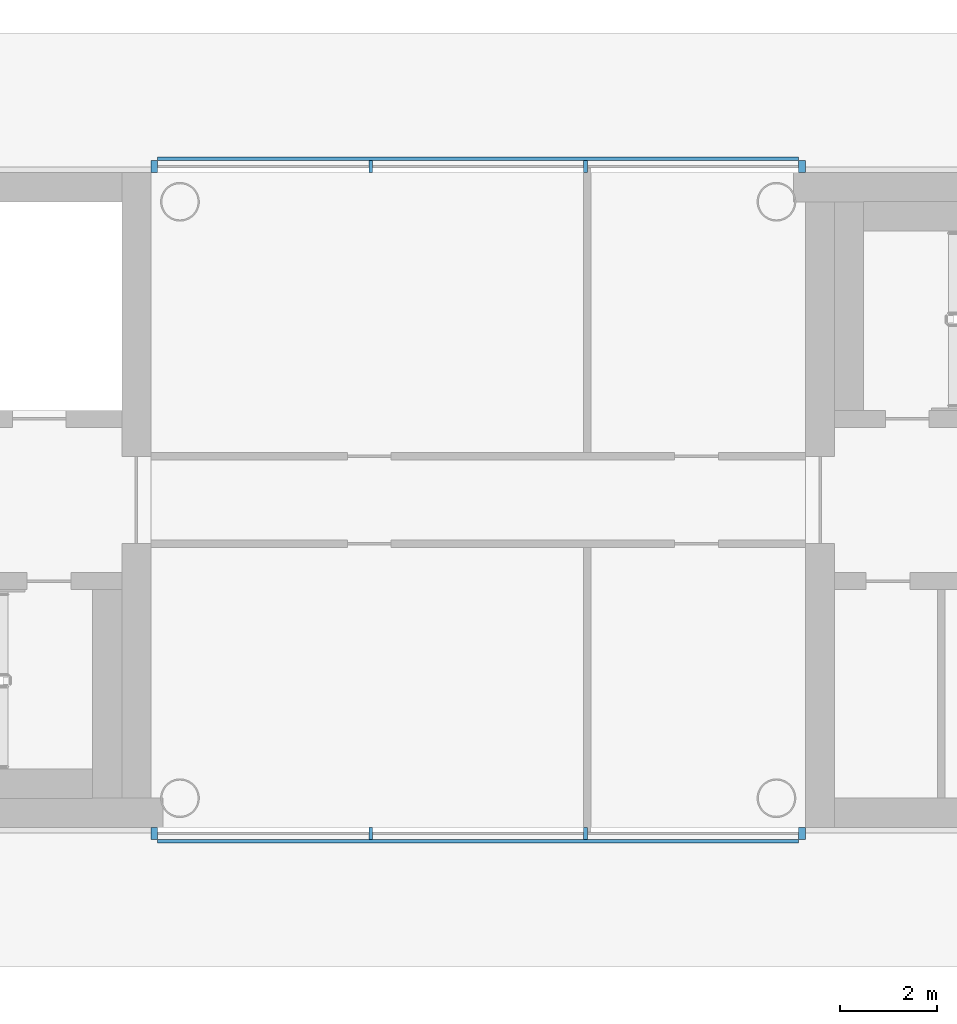
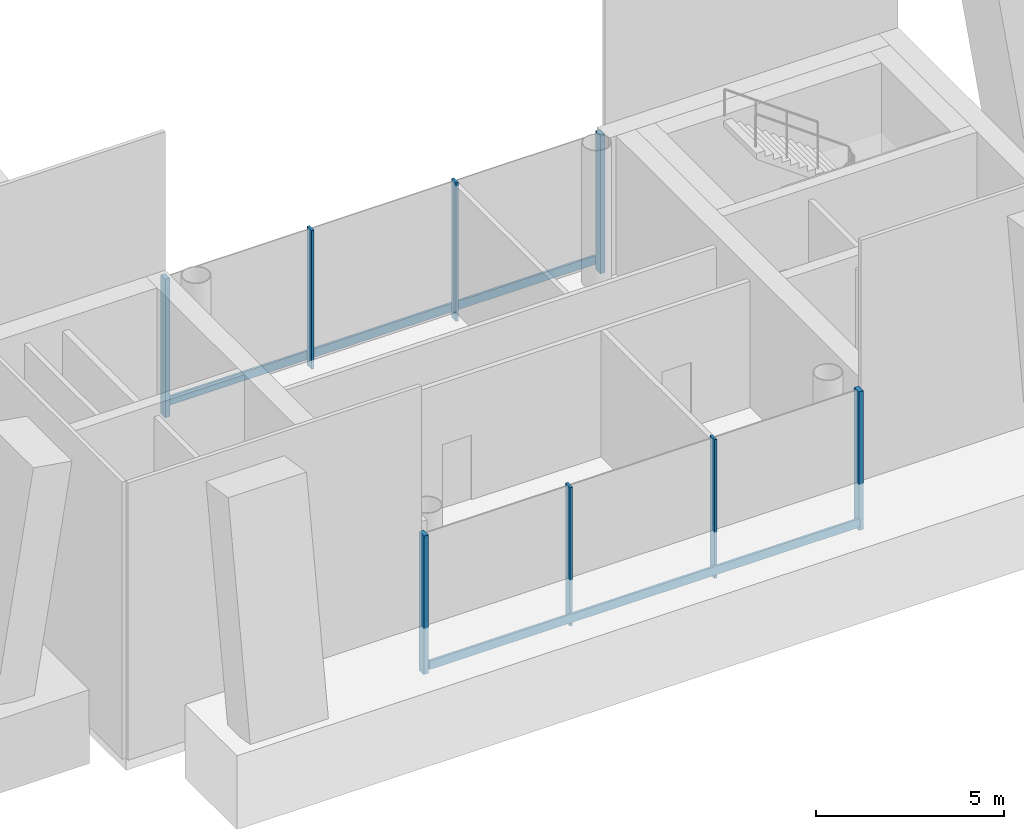
# One storey, part 2 of 12: 10 members, 2 elements without a shape of their own.
"""IFC4 building model written with IfcOpenShell, lengths in metres."""

from ifc_helpers import new_model, si_unit, direction, frame, origin, origin_2d, place, context, subcontext, project, spatial, rectangle, extrude, material, layer, layer_set, material_profile, profile_set, type_object, element, aggregate, save


model = new_model("IFC4")

# Units and contexts
model_context = context("Model", 3, precision=1e-05, world=origin(), true_north=direction((0.0, 1.0)))
body_context = subcontext(model_context, "Body", "Model", "MODEL_VIEW")
ifc_project = project(units=[si_unit("LENGTHUNIT", "METRE"), si_unit("AREAUNIT", "SQUARE_METRE"), si_unit("VOLUMEUNIT", "CUBIC_METRE"), si_unit("PLANEANGLEUNIT", "RADIAN"), si_unit("MASSUNIT", "GRAM", prefix="KILO")], contexts=[model_context])

# Site, building, storey
site_placement = place(None, origin())
site = spatial("IfcSite", under=ifc_project, at=site_placement, CompositionType="ELEMENT")
building_placement = place(site_placement, origin())
building = spatial("IfcBuilding", under=site, at=building_placement, Name="Ipe Terrace Towers", CompositionType="ELEMENT")
storey_placement = place(building_placement, frame((0.0, 0.0, 255.89990234375)))
storey = spatial("IfcBuildingStorey", under=building, at=storey_placement, Name="L70", CompositionType="ELEMENT", Elevation=255.89990234375)

# Curtain wall, members
ifc_material_1 = material(Name="Aluminium alloy 6063-T6", Category="aluminium")
ifc_layer = layer(ifc_material_1, 0.320068359375)
ifc_layer_set = layer_set([ifc_layer], Name="LANTERN CURTAIN WALL")
curtain_wall_type = type_object("IfcCurtainWallType", Name="LANTERN CURTAIN WALL", PredefinedType="NOTDEFINED", material=ifc_layer_set)
curtain_wall_1_placement = place(storey_placement, origin())
curtain_wall_1 = element("IfcCurtainWall", 1, at=curtain_wall_1_placement, inside=storey, type_object=curtain_wall_type, Name="T1-CW-L70-00b curtain wall", PredefinedType="NOTDEFINED")
ifc_material_2 = material(Name="Aluminium alloy 6063-T6", Category="aluminium")
ifc_material_profile_1 = material_profile(ifc_material_2, rectangle(XDim=0.25, YDim=0.139892578125, at=origin_2d()), Name="LANTERN CORNER MULLION 250 x 140")
ifc_profile_set_1 = profile_set([ifc_material_profile_1], Name="Aluminium alloy 6063-T6")
member_type_1 = type_object("IfcMemberType", Name="LANTERN CORNER MULLION 250 x 140", PredefinedType="MULLION", material=ifc_profile_set_1)
member_1_placement = place(storey_placement, frame((-42.678955078125, -6.875, -0.2998046875), z_axis=(0.0, 0.0, 1.0), x_axis=(0.0, -1.0, 0.0)))
member_1 = element("IfcMember", 2, at=member_1_placement, type_object=member_type_1, Name="T1-CW-L70-00b mullion 1", PredefinedType="MULLION", context=body_context, shape_type="SweptSolid", body=[
    extrude(rectangle(XDim=0.25, YDim=0.139892578125, at=origin_2d()), origin(), (0.0, 0.0, 1.0), 4.5),
])
member_2_placement = place(storey_placement, frame((-29.321044921875, -6.875, -0.2998046875), z_axis=(0.0, 0.0, 1.0), x_axis=(0.0, -1.0, 0.0)))
member_2 = element("IfcMember", 3, at=member_2_placement, type_object=member_type_1, Name="T1-CW-L70-00b mullion 4", PredefinedType="MULLION", context=body_context, shape_type="SweptSolid", body=[
    extrude(rectangle(XDim=0.25, YDim=0.139892578125, at=origin_2d()), origin(), (0.0, 0.0, 1.0), 4.5),
])

curtain_wall_2_placement = place(storey_placement, origin())
curtain_wall_2 = element("IfcCurtainWall", 4, at=curtain_wall_2_placement, inside=storey, type_object=curtain_wall_type, Name="T1-CW-L70-02b curtain wall", PredefinedType="NOTDEFINED")
member_3_placement = place(storey_placement, frame((-29.321044921875, 6.875, -0.2998046875), z_axis=(0.0, 0.0, 1.0), x_axis=(0.0, 1.0, 0.0)))
member_3 = element("IfcMember", 5, at=member_3_placement, type_object=member_type_1, Name="T1-CW-L70-02b mullion 1", PredefinedType="MULLION", context=body_context, shape_type="SweptSolid", body=[
    extrude(rectangle(XDim=0.25, YDim=0.139892578125, at=origin_2d()), origin(), (0.0, 0.0, 1.0), 4.5),
])
member_4_placement = place(storey_placement, frame((-42.678955078125, 6.875, -0.2998046875), z_axis=(0.0, 0.0, 1.0), x_axis=(0.0, 1.0, 0.0)))
member_4 = element("IfcMember", 6, at=member_4_placement, type_object=member_type_1, Name="T1-CW-L70-02b mullion 4", PredefinedType="MULLION", context=body_context, shape_type="SweptSolid", body=[
    extrude(rectangle(XDim=0.25, YDim=0.139892578125, at=origin_2d()), origin(), (0.0, 0.0, 1.0), 4.5),
])

# Member
ifc_material_3 = material(Name="Aluminium alloy 6063-T6", Category="aluminium")
ifc_material_profile_2 = material_profile(ifc_material_3, rectangle(XDim=0.25, YDim=0.080078125, at=origin_2d()), Name="LANTERN MULLION 250 x 80")
ifc_profile_set_2 = profile_set([ifc_material_profile_2], Name="Aluminium alloy 6063-T6")
member_type_2 = type_object("IfcMemberType", Name="LANTERN MULLION 250 x 80", PredefinedType="MULLION", material=ifc_profile_set_2)
member_5_placement = place(storey_placement, frame((-38.21630859375, -6.875, -0.2998046875), z_axis=(0.0, 0.0, 1.0), x_axis=(0.0, -1.0, 0.0)))
member_5 = element("IfcMember", 7, at=member_5_placement, type_object=member_type_2, Name="T1-CW-L70-00b mullion 2", PredefinedType="MULLION", context=body_context, shape_type="SweptSolid", body=[
    extrude(rectangle(XDim=0.25, YDim=0.080078125, at=origin_2d()), origin(), (0.0, 0.0, 1.0), 4.5),
])

member_6_placement = place(storey_placement, frame((-33.78369140625, -6.875, -0.2998046875), z_axis=(0.0, 0.0, 1.0), x_axis=(0.0, -1.0, 0.0)))
member_6 = element("IfcMember", 8, at=member_6_placement, type_object=member_type_2, Name="T1-CW-L70-00b mullion 3", PredefinedType="MULLION", context=body_context, shape_type="SweptSolid", body=[
    extrude(rectangle(XDim=0.25, YDim=0.080078125, at=origin_2d()), origin(), (0.0, 0.0, 1.0), 4.5),
])

member_7_placement = place(storey_placement, frame((-33.78369140625, 6.875, -0.2998046875), z_axis=(0.0, 0.0, 1.0), x_axis=(0.0, 1.0, 0.0)))
member_7 = element("IfcMember", 9, at=member_7_placement, type_object=member_type_2, Name="T1-CW-L70-02b mullion 2", PredefinedType="MULLION", context=body_context, shape_type="SweptSolid", body=[
    extrude(rectangle(XDim=0.25, YDim=0.080078125, at=origin_2d()), origin(), (0.0, 0.0, 1.0), 4.5),
])

member_8_placement = place(storey_placement, frame((-38.21630859375, 6.875, -0.2998046875), z_axis=(0.0, 0.0, 1.0), x_axis=(0.0, 1.0, 0.0)))
member_8 = element("IfcMember", 10, at=member_8_placement, type_object=member_type_2, Name="T1-CW-L70-02b mullion 3", PredefinedType="MULLION", context=body_context, shape_type="SweptSolid", body=[
    extrude(rectangle(XDim=0.25, YDim=0.080078125, at=origin_2d()), origin(), (0.0, 0.0, 1.0), 4.5),
])

ifc_material_4 = material(Name="Aluminium alloy 6063-T6", Category="aluminium")
ifc_material_profile_3 = material_profile(ifc_material_4, rectangle(XDim=0.070068359375, YDim=0.280029296875, at=origin_2d()), Name="LANTERN TRANSOM 70 x 280")
ifc_profile_set_3 = profile_set([ifc_material_profile_3], Name="Aluminium alloy 6063-T6")
member_type_3 = type_object("IfcMemberType", Name="LANTERN TRANSOM 70 x 280", PredefinedType="USERDEFINED", material=ifc_profile_set_3)
member_9_placement = place(storey_placement, frame((-42.60888671875, -7.034912109375, 0.0), z_axis=(1.0, 0.0, 0.0), x_axis=(0.0, -1.0, 0.0)))
member_9 = element("IfcMember", 11, at=member_9_placement, type_object=member_type_3, Name="T1-CW-L70-00b transom", ObjectType="TRANSOM", PredefinedType="USERDEFINED", context=body_context, shape_type="SweptSolid", body=[
    extrude(rectangle(XDim=0.070068359375, YDim=0.280029296875, at=origin_2d()), origin(), (0.0, 0.0, 1.0), 13.2177734375),
])

aggregate(curtain_wall_1, [member_1, member_5, member_6, member_2, member_9])

member_10_placement = place(storey_placement, frame((-29.39111328125, 7.034912109375, 0.0), z_axis=(-1.0, 0.0, 0.0), x_axis=(0.0, 1.0, 0.0)))
member_10 = element("IfcMember", 12, at=member_10_placement, type_object=member_type_3, Name="T1-CW-L70-02b transom", ObjectType="TRANSOM", PredefinedType="USERDEFINED", context=body_context, shape_type="SweptSolid", body=[
    extrude(rectangle(XDim=0.070068359375, YDim=0.280029296875, at=origin_2d()), origin(), (0.0, 0.0, 1.0), 13.2177734375),
])

aggregate(curtain_wall_2, [member_3, member_7, member_8, member_4, member_10])

save(model, "model.ifc")
